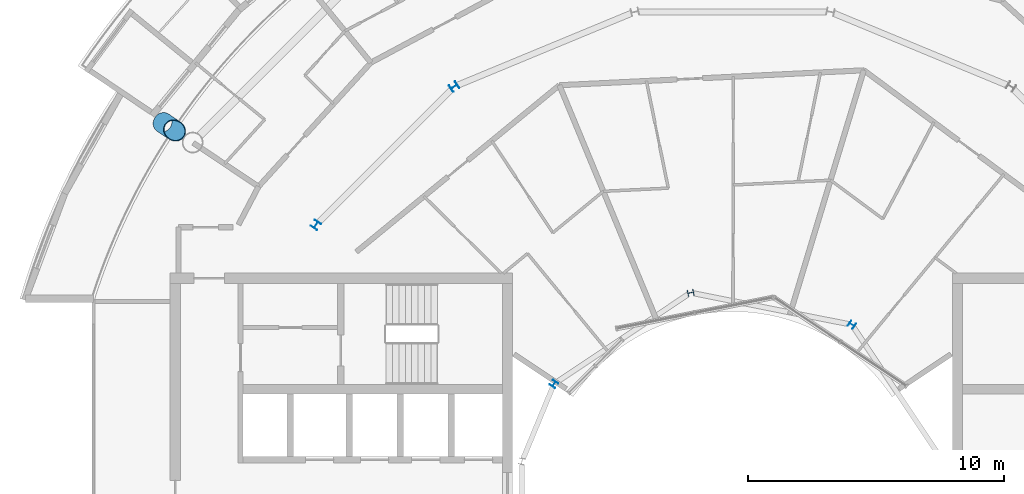
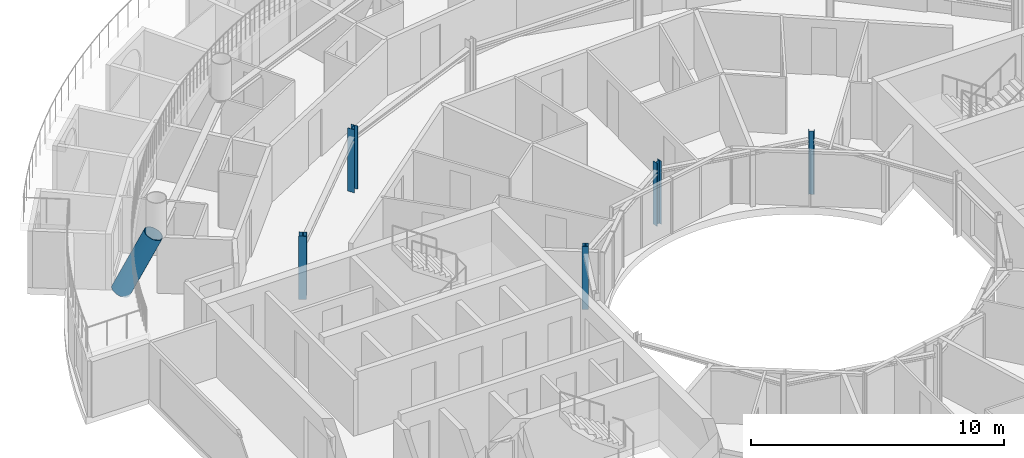
# One storey, part 4 of 29: 6 columns.
"""IFC4 building model written with IfcOpenShell, lengths in metres."""

from ifc_helpers import new_model, si_unit, direction, frame, origin, origin_2d, place, context, subcontext, project, spatial, hollow_circle, i_section, extrude, material, material_profile, profile_set, type_object, element, save


model = new_model("IFC4")

# Units and contexts
model_context = context("Model", 3, precision=1e-05, world=origin(), true_north=direction((0.0, 1.0)))
body_context = subcontext(model_context, "Body", "Model", "MODEL_VIEW")
ifc_project = project(units=[si_unit("LENGTHUNIT", "METRE"), si_unit("AREAUNIT", "SQUARE_METRE"), si_unit("VOLUMEUNIT", "CUBIC_METRE"), si_unit("PLANEANGLEUNIT", "RADIAN"), si_unit("MASSUNIT", "GRAM", prefix="KILO")], contexts=[model_context])

# Site, building, storey
site_placement = place(None, origin())
site = spatial("IfcSite", under=ifc_project, at=site_placement, CompositionType="ELEMENT")
building_placement = place(site_placement, origin())
building = spatial("IfcBuilding", under=site, at=building_placement, Name="Maasbend Ring Residences", CompositionType="ELEMENT")
storey_placement = place(building_placement, frame((0.0, 0.0, 234.050048828125)))
storey = spatial("IfcBuildingStorey", under=building, at=storey_placement, Name="L67", CompositionType="ELEMENT", Elevation=234.050048828125)

# Columns
ifc_material_1 = material(Name="Composite concrete-filled steel tube S460NH / C80/95", Category="concrete")
ifc_material_profile_1 = material_profile(ifc_material_1, hollow_circle(Radius=0.406494140625, WallThickness=0.030029296875, at=origin_2d()), Name="Composite tube column CHS 813x30")
ifc_profile_set_1 = profile_set([ifc_material_profile_1], Name="Composite concrete-filled steel tube S460NH / C80/95")
column_type_1 = type_object("IfcColumnType", Name="Composite tube column CHS 813x30", PredefinedType="COLUMN", material=ifc_profile_set_1)
column_placement = place(storey_placement, frame((-22.283447265625, 14.889404296875, 0.0), z_axis=(0.346913947437, -0.231777820067, 0.908806775502), x_axis=(0.555532669549, 0.831494710184, 0.0)))
element("IfcColumn", 1, at=column_placement, inside=storey, type_object=column_type_1, Name="Outer column R7", PredefinedType="COLUMN", context=body_context, shape_type="SweptSolid", body=[
    extrude(hollow_circle(Radius=0.406494140625, WallThickness=0.030029296875, at=origin_2d()), origin(), (0.0, 0.0, 1.0), 3.0810546875),
])
ifc_material_2 = material(Name="Steel S355J2", Category="steel")
ifc_material_profile_2 = material_profile(ifc_material_2, i_section(OverallWidth=0.239990234375, OverallDepth=0.22998046875, WebThickness=0.007568359375, FlangeThickness=0.011962890625, FilletRadius=0.02099609375, at=origin_2d()), Name="HEA 240")
ifc_profile_set_2 = profile_set([ifc_material_profile_2], Name="Steel S355J2")
column_type_2 = type_object("IfcColumnType", Name="Steel column HEA 240", PredefinedType="COLUMN", material=ifc_profile_set_2)
for number, where, z_axis, x_axis, name in (
    (2, (4.666748046875, 6.984375, 0.0), (0.0, 0.0, 1.0), (0.55557023302, 0.831469612303, 0.0), "Well ring column R3"),
    (3, (-1.638916015625, 8.238525390625, 0.0), (0.0, 0.0, 1.0), (-0.195090322016, 0.980785280403, 0.0), "Well ring column R5"),
    (4, (-6.984375, 4.666748046875, 0.0), (0.0, 0.0, 1.0), (-0.831469612303, 0.55557023302, 0.0), "Well ring column R7"),
):
    element("IfcColumn", number, at=place(storey_placement, frame(where, z_axis=z_axis, x_axis=x_axis)), inside=storey, type_object=column_type_2, Name=name, PredefinedType="COLUMN", context=body_context, shape_type="SweptSolid", body=[
        extrude(i_section(OverallWidth=0.239990234375, OverallDepth=0.22998046875, WebThickness=0.007568359375, FlangeThickness=0.011962890625, FilletRadius=0.02099609375, at=origin_2d()), origin(), (0.0, 0.0, 1.0), 3.050048828125),
    ])
ifc_material_3 = material(Name="Steel S355J2", Category="steel")
ifc_material_profile_3 = material_profile(ifc_material_3, i_section(OverallWidth=0.300048828125, OverallDepth=0.300048828125, WebThickness=0.010986328125, FlangeThickness=0.01904296875, FilletRadius=0.027099609375, at=origin_2d()), Name="HEB 300")
ifc_profile_set_3 = profile_set([ifc_material_profile_3], Name="Steel S355J2")
column_type_3 = type_object("IfcColumnType", Name="Steel column HEB 300", PredefinedType="COLUMN", material=ifc_profile_set_3)
for number, where, z_axis, x_axis, name in (
    (5, (-10.88916015625, 16.296875, 0.0), (0.0, 0.0, 1.0), (-0.55557023302, 0.831469612303, 0.0), "Corridor ring column R6"),
    (6, (-16.296875, 10.88916015625, 0.0), (0.0, 0.0, 1.0), (-0.831469612303, 0.55557023302, 0.0), "Corridor ring column R7"),
):
    element("IfcColumn", number, at=place(storey_placement, frame(where, z_axis=z_axis, x_axis=x_axis)), inside=storey, type_object=column_type_3, Name=name, PredefinedType="COLUMN", context=body_context, shape_type="SweptSolid", body=[
        extrude(i_section(OverallWidth=0.300048828125, OverallDepth=0.300048828125, WebThickness=0.010986328125, FlangeThickness=0.01904296875, FilletRadius=0.027099609375, at=origin_2d()), origin(), (0.0, 0.0, 1.0), 3.050048828125),
    ])

save(model, "model.ifc")
